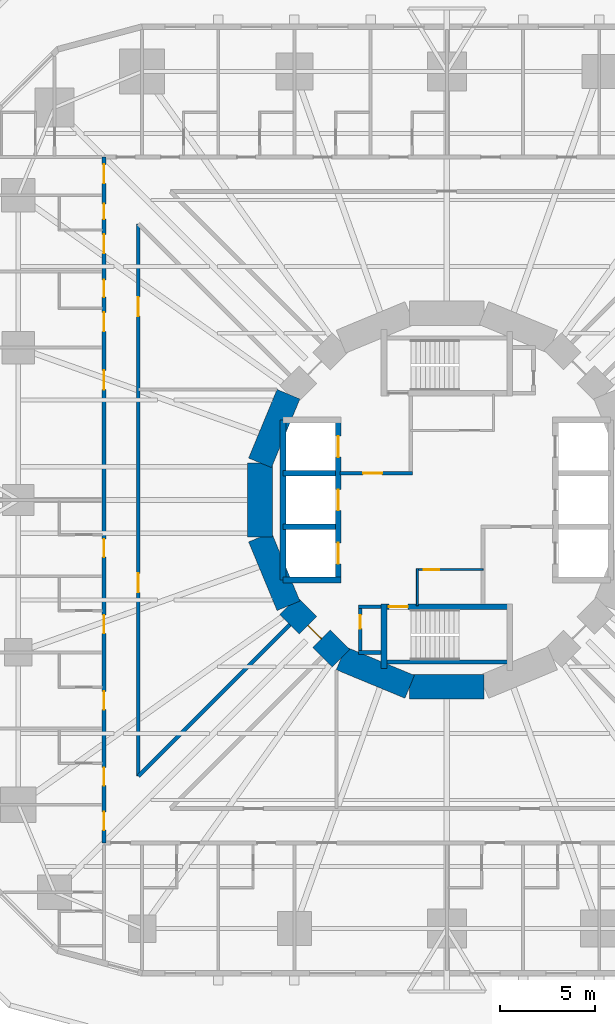
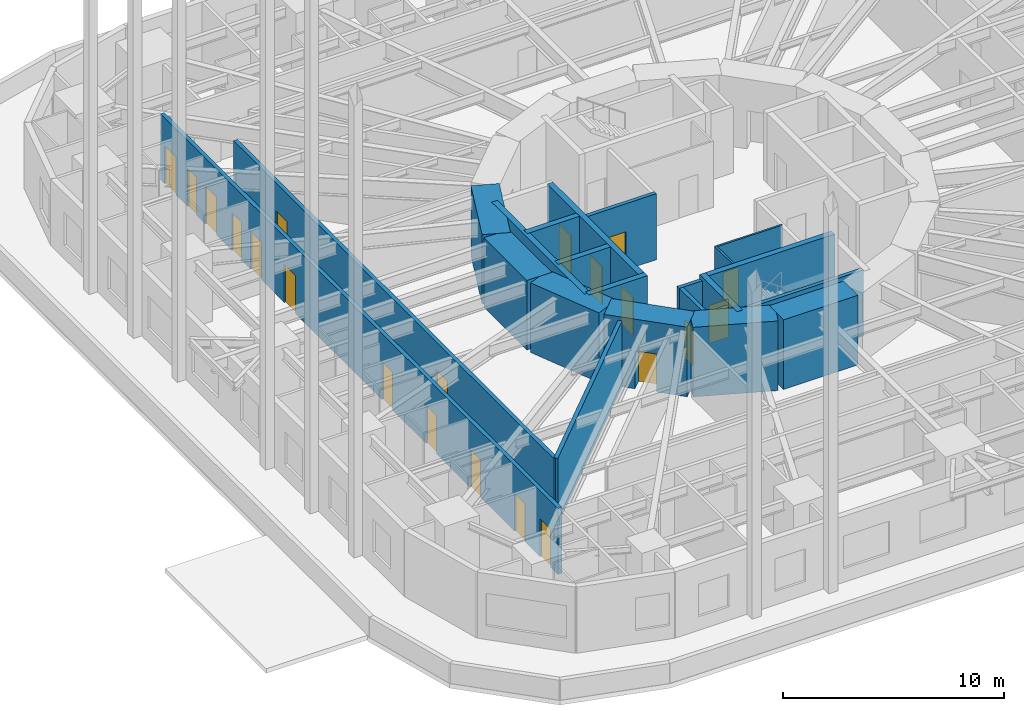
# One storey, part 6 of 13: 23 walls, 21 doors, 21 openings.
"""IFC4 building model written with IfcOpenShell, lengths in metres."""

import ifcopenshell
import ifcopenshell.guid

model = None  # the IFC model being written
_history = None  # IfcOwnerHistory: only IFC2X3 demands one
_inside = {}  # id of a spatial element -> (the spatial element, [elements in it])
_under = {}  # id of a project, library or spatial element -> (it, [spatial elements below it])
_declared = {}  # id of a project -> (the project, [libraries it declares])
_typed = {}  # id of a type object -> (the type object, [elements of that type])
_made_of = {}  # id of a material, layer set ... -> (it, [elements and type objects made of it])


def new_model(schema):
    """Start an empty IFC model of exactly this schema.

    Asked for "IFC4X3", IfcOpenShell would pick the latest addendum, in which some entities
    have other attributes; the version numbers below select the first issue.
    IFC2X3 requires an IfcOwnerHistory on every rooted entity: one is made here for all.
    """
    global model, _history
    if schema == "IFC4X3":
        model = ifcopenshell.file(schema_version=(4, 3, 0, 0))
    else:
        model = ifcopenshell.file(schema=schema)
    _inside.clear()
    _under.clear()
    _declared.clear()
    _typed.clear()
    _made_of.clear()
    _history = None
    if model.schema == "IFC2X3":
        org = make("IfcOrganization", Name="unknown")
        user = make(
            "IfcPersonAndOrganization",
            ThePerson=make("IfcPerson", FamilyName="unknown"),
            TheOrganization=org,
        )
        app = make(
            "IfcApplication",
            ApplicationDeveloper=org,
            Version="unknown",
            ApplicationFullName="unknown",
            ApplicationIdentifier="unknown",
        )
        _history = make(
            "IfcOwnerHistory",
            OwningUser=user,
            OwningApplication=app,
            ChangeAction="ADDED",
            CreationDate=0,
        )
    return model


def make(cls, **values):
    """One entity of the class cls with the attributes given. An attribute that is None is left unset."""
    return model.create_entity(
        cls, **{name: value for name, value in values.items() if value is not None}
    )


def rooted(cls, **values):
    """An entity with a GlobalId (a new one), such as an element, a storey or a relation."""
    return make(cls, GlobalId=ifcopenshell.guid.new(), OwnerHistory=_history, **values)


def si_unit(unit_type, name, prefix=None):
    """IfcSIUnit, for example si_unit("LENGTHUNIT", "METRE", prefix="MILLI")."""
    return make("IfcSIUnit", UnitType=unit_type, Prefix=prefix, Name=name)


def assignment(units):
    """IfcUnitAssignment: the units of a project."""
    return None if units is None else make("IfcUnitAssignment", Units=units)


def point(xyz):
    """IfcCartesianPoint."""
    return None if xyz is None else make("IfcCartesianPoint", Coordinates=xyz)


def direction(xyz):
    """IfcDirection."""
    return None if xyz is None else make("IfcDirection", DirectionRatios=xyz)


def frame(location, z_axis=None, x_axis=None):
    """IfcAxis2Placement3D, a coordinate frame: its origin and axes. An axis left out is left unset."""
    return make(
        "IfcAxis2Placement3D",
        Location=point(location),
        Axis=direction(z_axis),
        RefDirection=direction(x_axis),
    )


def frame_2d(location, x_axis=None):
    """IfcAxis2Placement2D, a coordinate frame in the plane: its origin and x axis."""
    return make(
        "IfcAxis2Placement2D", Location=point(location), RefDirection=direction(x_axis)
    )


def origin():
    """The frame at (0, 0, 0) with its axes left unset."""
    return frame((0.0, 0.0, 0.0))


def place(relative_to, where):
    """IfcLocalPlacement: puts the frame where relative to a parent placement (None: the world)."""
    return make(
        "IfcLocalPlacement", PlacementRelTo=relative_to, RelativePlacement=where
    )


def context(
    kind, dimensions, precision=None, world=None, true_north=None, identifier=None
):
    """IfcGeometricRepresentationContext, for example the 3D "Model" context."""
    return make(
        "IfcGeometricRepresentationContext",
        ContextIdentifier=identifier,
        ContextType=kind,
        CoordinateSpaceDimension=dimensions,
        Precision=precision,
        WorldCoordinateSystem=world,
        TrueNorth=true_north,
    )


def subcontext(parent, identifier, kind, view, scale=None):
    """IfcGeometricRepresentationSubContext, for example "Body" below "Model"."""
    return make(
        "IfcGeometricRepresentationSubContext",
        ContextIdentifier=identifier,
        ContextType=kind,
        ParentContext=parent,
        TargetScale=scale,
        TargetView=view,
    )


def project(units=None, contexts=None):
    """IfcProject with its units and contexts."""
    return rooted(
        "IfcProject",
        Name="project",
        RepresentationContexts=contexts,
        UnitsInContext=assignment(units),
    )


def spatial(cls, under=None, at=None, **own):
    """A site, building, storey or space (cls), placed at a placement, below another one or the project."""
    s = rooted(cls, ObjectPlacement=at, **own)
    if under is not None:
        _under.setdefault(under.id(), (under, []))[1].append(s)
    return s


def profile(cls, at=None, kind="AREA", **sizes):
    """A parametric profile (cls). Its sizes go by their IFC names, for example OverallWidth=200.0."""
    return make(cls, ProfileType=kind, Position=at, **sizes)


def rectangle(**sizes):
    """IfcRectangleProfileDef."""
    return profile("IfcRectangleProfileDef", **sizes)


def extrude(swept, where, along, depth):
    """IfcExtrudedAreaSolid: the profile swept, set in the frame where, extruded along a direction by depth."""
    return make(
        "IfcExtrudedAreaSolid",
        SweptArea=swept,
        Position=where,
        ExtrudedDirection=direction(along),
        Depth=depth,
    )


def shape(context_of_items, identifier, shape_type, items):
    """IfcShapeRepresentation: the items that make up one representation, for example the "Body"."""
    return make(
        "IfcShapeRepresentation",
        ContextOfItems=context_of_items,
        RepresentationIdentifier=identifier,
        RepresentationType=shape_type,
        Items=items,
    )


def material(Name=None, Category=None):
    """IfcMaterial."""
    return make("IfcMaterial", Name=Name, Category=Category)


def layer(
    of_material, thickness, ventilated=None, Name=None, Category=None, Priority=None
):
    """IfcMaterialLayer: one layer of a wall or slab, of a material (None: an air gap)."""
    return make(
        "IfcMaterialLayer",
        Material=of_material,
        LayerThickness=thickness,
        IsVentilated=ventilated,
        Name=Name,
        Category=Category,
        Priority=Priority,
    )


def layer_set(layers, Name=None):
    """IfcMaterialLayerSet."""
    return make("IfcMaterialLayerSet", MaterialLayers=layers, LayerSetName=Name)


def made_of(thing, what):
    """Note that an element or type object is made of a material, layer set ...; save() writes the relation."""
    if what is not None:
        _made_of.setdefault(what.id(), (what, []))[1].append(thing)
    return thing


def type_object(cls, material=None, **own):
    """A type object (cls), such as IfcWallType, which elements share."""
    return made_of(rooted(cls, **own), material)


def element(
    cls,
    number,
    at=None,
    inside=None,
    cuts=None,
    type_object=None,
    material=None,
    context=None,
    identifier="Body",
    shape_type=None,
    held_by="IfcProductDefinitionShape",
    body=None,
    shapes=None,
    **own,
):
    """One element of the class cls, such as IfcWall. Its Tag is "e" and its number.

    at: its placement. inside: the storey or other place that contains it. cuts: it is an
    opening in that element (IfcRelVoidsElement). A single representation is given by context,
    identifier, shape_type and body (its items); several are given by shapes. held_by: the class
    of the entity that holds the representations. save() writes the other relations.
    """
    e = rooted(cls, Tag="e%d" % number, ObjectPlacement=at, **own)
    if body is not None:
        shapes = [shape(context, identifier, shape_type, body)]
    if shapes is not None:
        e.Representation = make(held_by, Representations=shapes)
    if inside is not None:
        _inside.setdefault(inside.id(), (inside, []))[1].append(e)
    if cuts is not None:
        rooted(
            "IfcRelVoidsElement", RelatingBuildingElement=cuts, RelatedOpeningElement=e
        )
    if type_object is not None:
        _typed.setdefault(type_object.id(), (type_object, []))[1].append(e)
    return made_of(e, material)


def fill(opening, filler):
    """IfcRelFillsElement: the door or window that sits in an opening."""
    return rooted(
        "IfcRelFillsElement",
        RelatingOpeningElement=opening,
        RelatedBuildingElement=filler,
    )


def aggregate(whole, parts):
    """IfcRelAggregates: a whole, such as a stair, and the parts it consists of."""
    return rooted("IfcRelAggregates", RelatingObject=whole, RelatedObjects=parts)


def save(model, path):
    """Write the relations noted so far, then the file.

    IfcRelAggregates (storeys below a building ...), IfcRelContainedInSpatialStructure (elements
    in a storey), IfcRelDefinesByType, IfcRelAssociatesMaterial and IfcRelDeclares: one each for
    every whole, place, type object, material and project.
    """
    for whole, parts in _under.values():
        aggregate(whole, parts)
    for where, things in _inside.values():
        rooted(
            "IfcRelContainedInSpatialStructure",
            RelatedElements=things,
            RelatingStructure=where,
        )
    for kind, things in _typed.values():
        rooted("IfcRelDefinesByType", RelatedObjects=things, RelatingType=kind)
    for what, things in _made_of.values():
        rooted("IfcRelAssociatesMaterial", RelatedObjects=things, RelatingMaterial=what)
    for by, libraries in _declared.values():
        rooted("IfcRelDeclares", RelatingContext=by, RelatedDefinitions=libraries)
    model.write(path)


model = new_model("IFC4")

# Units and contexts
model_context = context("Model", 3, precision=1e-05, world=origin(), true_north=direction((0.0, 1.0)))
body_context = subcontext(model_context, "Body", "Model", "MODEL_VIEW")
ifc_project = project(units=[si_unit("LENGTHUNIT", "METRE"), si_unit("AREAUNIT", "SQUARE_METRE"), si_unit("VOLUMEUNIT", "CUBIC_METRE"), si_unit("PLANEANGLEUNIT", "RADIAN"), si_unit("MASSUNIT", "GRAM", prefix="KILO")], contexts=[model_context])

# Site, building, storey
site_placement = place(None, origin())
site = spatial("IfcSite", under=ifc_project, at=site_placement, CompositionType="ELEMENT")
building_placement = place(site_placement, origin())
building = spatial("IfcBuilding", under=site, at=building_placement, Name="Nakasero Lantern House", CompositionType="ELEMENT")
storey_placement = place(building_placement, frame((0.0, 0.0, 16.0)))
storey = spatial("IfcBuildingStorey", under=building, at=storey_placement, Name="L03", CompositionType="ELEMENT", Elevation=16.0)

# Wall, openings, doors
ifc_material_1 = material(Name="Concrete C50/60", Category="concrete")
ifc_layer_1 = layer(ifc_material_1, 0.300048828125)
ifc_layer_set_1 = layer_set([ifc_layer_1], Name="Core inner wall 300")
wall_type_1 = type_object("IfcWallType", Name="Core inner wall 300", PredefinedType="SHEAR", material=ifc_layer_set_1)
wall_1_placement = place(storey_placement, frame((-5.699951171875, -4.199951171875, 0.0), z_axis=(0.0, 0.0, 1.0), x_axis=(0.0, 1.0, 0.0)))
wall_1 = element("IfcWall", 1, at=wall_1_placement, inside=storey, type_object=wall_type_1, Name="Core inner wall L03 LW", PredefinedType="SHEAR", context=body_context, shape_type="SweptSolid", body=[
    extrude(rectangle(XDim=8.39990234375, YDim=0.300048828125, at=frame_2d((4.199951171875, 0.0))), origin(), (0.0, 0.0, 1.0), 3.85009765625),
])
opening_1_placement = place(wall_1_placement, frame((0.85009765625, 0.0, 0.0)))
opening_1 = element("IfcOpeningElement", 2, at=opening_1_placement, cuts=wall_1, Name="Opening LD", PredefinedType="OPENING", context=body_context, shape_type="SweptSolid", body=[
    extrude(rectangle(XDim=1.10009765625, YDim=2.10009765625, at=frame_2d((0.550048828125, 1.050048828125))), frame((0.0, 0.169921875, 0.0), z_axis=(0.0, -1.0, 0.0), x_axis=(1.0, 0.0, 0.0)), (0.0, 0.0, 1.0), 0.340087890625),
])
opening_2_placement = place(wall_1_placement, frame((3.64990234375, 0.0, 0.0)))
opening_2 = element("IfcOpeningElement", 3, at=opening_2_placement, cuts=wall_1, Name="Opening LD", PredefinedType="OPENING", context=body_context, shape_type="SweptSolid", body=[
    extrude(rectangle(XDim=1.10009765625, YDim=2.10009765625, at=frame_2d((0.550048828125, 1.050048828125))), frame((0.0, 0.169921875, 0.0), z_axis=(0.0, -1.0, 0.0), x_axis=(1.0, 0.0, 0.0)), (0.0, 0.0, 1.0), 0.340087890625),
])
opening_3_placement = place(wall_1_placement, frame((6.449951171875, 0.0, 0.0)))
opening_3 = element("IfcOpeningElement", 4, at=opening_3_placement, cuts=wall_1, Name="Opening LD", PredefinedType="OPENING", context=body_context, shape_type="SweptSolid", body=[
    extrude(rectangle(XDim=1.10009765625, YDim=2.10009765625, at=frame_2d((0.550048828125, 1.050048828125))), frame((0.0, 0.169921875, 0.0), z_axis=(0.0, -1.0, 0.0), x_axis=(1.0, 0.0, 0.0)), (0.0, 0.0, 1.0), 0.340087890625),
])
ifc_material_2 = material(Name="Steel S355", Category="steel")
door_type_1 = type_object("IfcDoorType", Name="Lift landing door E120 1100", OperationType="SLIDING_TO_LEFT", PredefinedType="DOOR", material=ifc_material_2)
door_1_placement = place(opening_1_placement, origin())
door_1 = element("IfcDoor", 5, at=door_1_placement, inside=storey, type_object=door_type_1, Name="Lift landing door LW1", OperationType="SLIDING_TO_LEFT", OverallHeight=2.10009765625, OverallWidth=1.10009765625, PredefinedType="DOOR", context=body_context, shape_type="SweptSolid", body=[
    extrude(rectangle(XDim=1.10009765625, YDim=2.10009765625, at=frame_2d((0.550048828125, 1.050048828125))), frame((0.0, 0.02490234375, 0.0), z_axis=(0.0, -1.0, 0.0), x_axis=(1.0, 0.0, 0.0)), (0.0, 0.0, 1.0), 0.050048828125),
])
fill(opening_1, door_1)
door_2_placement = place(opening_2_placement, origin())
door_2 = element("IfcDoor", 6, at=door_2_placement, inside=storey, type_object=door_type_1, Name="Lift landing door LW2", OperationType="SLIDING_TO_LEFT", OverallHeight=2.10009765625, OverallWidth=1.10009765625, PredefinedType="DOOR", context=body_context, shape_type="SweptSolid", body=[
    extrude(rectangle(XDim=1.10009765625, YDim=2.10009765625, at=frame_2d((0.550048828125, 1.050048828125))), frame((0.0, 0.02490234375, 0.0), z_axis=(0.0, -1.0, 0.0), x_axis=(1.0, 0.0, 0.0)), (0.0, 0.0, 1.0), 0.050048828125),
])
fill(opening_2, door_2)
door_3_placement = place(opening_3_placement, origin())
door_3 = element("IfcDoor", 7, at=door_3_placement, inside=storey, type_object=door_type_1, Name="Lift landing door LW3", OperationType="SLIDING_TO_LEFT", OverallHeight=2.10009765625, OverallWidth=1.10009765625, PredefinedType="DOOR", context=body_context, shape_type="SweptSolid", body=[
    extrude(rectangle(XDim=1.10009765625, YDim=2.10009765625, at=frame_2d((0.550048828125, 1.050048828125))), frame((0.0, 0.02490234375, 0.0), z_axis=(0.0, -1.0, 0.0), x_axis=(1.0, 0.0, 0.0)), (0.0, 0.0, 1.0), 0.050048828125),
])
fill(opening_3, door_3)

# Walls
wall_2_placement = place(storey_placement, frame((-8.60009765625, -4.199951171875, 0.0), z_axis=(0.0, 0.0, 1.0), x_axis=(1.0, 0.0, 0.0)))
element("IfcWall", 8, at=wall_2_placement, inside=storey, type_object=wall_type_1, Name="Core inner wall L03 LWS", PredefinedType="SHEAR", context=body_context, shape_type="SweptSolid", body=[
    extrude(rectangle(XDim=3.050048828125, YDim=0.300048828125, at=frame_2d((1.52490234375, 0.0))), origin(), (0.0, 0.0, 1.0), 3.85009765625),
])
wall_3_placement = place(storey_placement, frame((-8.60009765625, -4.199951171875, 0.0), z_axis=(0.0, 0.0, 1.0), x_axis=(0.0, 1.0, 0.0)))
element("IfcWall", 9, at=wall_3_placement, inside=storey, type_object=wall_type_1, Name="Core inner wall L03 LWB", PredefinedType="SHEAR", context=body_context, shape_type="SweptSolid", body=[
    extrude(rectangle(XDim=8.39990234375, YDim=0.300048828125, at=frame_2d((4.199951171875, 0.0))), origin(), (0.0, 0.0, 1.0), 3.85009765625),
])
for number, where, z_axis, x_axis, name in (
    (10, (-8.60009765625, -1.39990234375, 0.0), (0.0, 0.0, 1.0), (1.0, 0.0, 0.0), "Core inner wall L03 LW1"),
    (11, (-8.60009765625, 1.39990234375, 0.0), (0.0, 0.0, 1.0), (1.0, 0.0, 0.0), "Core inner wall L03 LW2"),
):
    element("IfcWall", number, at=place(storey_placement, frame(where, z_axis=z_axis, x_axis=x_axis)), inside=storey, type_object=wall_type_1, Name=name, PredefinedType="SHEAR", context=body_context, shape_type="SweptSolid", body=[
        extrude(rectangle(XDim=2.75, YDim=0.300048828125, at=frame_2d((1.375, 0.0))), origin(), (0.0, 0.0, 1.0), 3.85009765625),
    ])

# Wall, opening, door
wall_4_placement = place(storey_placement, frame((-3.449951171875, -5.60009765625, 0.0), z_axis=(0.0, 0.0, 1.0), x_axis=(1.0, 0.0, 0.0)))
wall_4 = element("IfcWall", 12, at=wall_4_placement, inside=storey, type_object=wall_type_1, Name="Core inner wall L03 SS", PredefinedType="SHEAR", context=body_context, shape_type="SweptSolid", body=[
    extrude(rectangle(XDim=6.89990234375, YDim=0.300048828125, at=frame_2d((3.449951171875, 0.0))), origin(), (0.0, 0.0, 1.0), 3.85009765625),
])
opening_4_placement = place(wall_4_placement, frame((0.39990234375, 0.0, 0.0)))
opening_4 = element("IfcOpeningElement", 13, at=opening_4_placement, cuts=wall_4, Name="Opening D05", PredefinedType="OPENING", context=body_context, shape_type="SweptSolid", body=[
    extrude(rectangle(XDim=1.0, YDim=2.10009765625, at=frame_2d((0.5, 1.050048828125))), frame((0.0, 0.169921875, 0.0), z_axis=(0.0, -1.0, 0.0), x_axis=(1.0, 0.0, 0.0)), (0.0, 0.0, 1.0), 0.340087890625),
])
ifc_material_3 = material(Name="Timber C24", Category="wood")
door_type_2 = type_object("IfcDoorType", Name="Core door FD60S 1000", OperationType="SINGLE_SWING_LEFT", PredefinedType="DOOR", material=ifc_material_3)
door_4_placement = place(opening_4_placement, origin())
door_4 = element("IfcDoor", 14, at=door_4_placement, inside=storey, type_object=door_type_2, Name="Door L03 D-ST2", OperationType="SINGLE_SWING_LEFT", OverallHeight=2.10009765625, OverallWidth=1.0, PredefinedType="DOOR", context=body_context, shape_type="SweptSolid", body=[
    extrude(rectangle(XDim=1.0, YDim=2.10009765625, at=frame_2d((0.5, 1.050048828125))), frame((0.0, 0.02490234375, 0.0), z_axis=(0.0, -1.0, 0.0), x_axis=(1.0, 0.0, 0.0)), (0.0, 0.0, 1.0), 0.050048828125),
])
fill(opening_4, door_4)

# Wall
wall_5_placement = place(storey_placement, frame((-3.300048828125, -5.449951171875, 0.0), z_axis=(0.0, 0.0, 1.0), x_axis=(0.0, -1.0, 0.0)))
element("IfcWall", 15, at=wall_5_placement, inside=storey, type_object=wall_type_1, Name="Core inner wall L03 SSW", PredefinedType="SHEAR", context=body_context, shape_type="SweptSolid", body=[
    extrude(rectangle(XDim=3.400146484375, YDim=0.300048828125, at=frame_2d((1.7001953125, 0.0))), origin(), (0.0, 0.0, 1.0), 3.85009765625),
])

# Wall, opening, door
ifc_material_4 = material(Name="Blockwork", Category="masonry")
ifc_layer_2 = layer(ifc_material_4, 0.10009765625)
ifc_layer_set_2 = layer_set([ifc_layer_2], Name="Core room wall 100")
wall_type_2 = type_object("IfcWallType", Name="Core room wall 100", PredefinedType="PARTITIONING", material=ifc_layer_set_2)
wall_6_placement = place(storey_placement, frame((-1.60009765625, -3.64990234375, 0.0), z_axis=(0.0, 0.0, 1.0), x_axis=(1.0, 0.0, 0.0)))
wall_6 = element("IfcWall", 16, at=wall_6_placement, inside=storey, type_object=wall_type_2, Name="Core room wall L03 CR-SWN", PredefinedType="PARTITIONING", context=body_context, shape_type="SweptSolid", body=[
    extrude(rectangle(XDim=3.5, YDim=0.10009765625, at=frame_2d((1.75, 0.0))), origin(), (0.0, 0.0, 1.0), 3.64990234375),
])
opening_5_placement = place(wall_6_placement, frame((0.39990234375, 0.0, 0.0)))
opening_5 = element("IfcOpeningElement", 17, at=opening_5_placement, cuts=wall_6, Name="Opening D15", PredefinedType="OPENING", context=body_context, shape_type="SweptSolid", body=[
    extrude(rectangle(XDim=0.800048828125, YDim=2.10009765625, at=frame_2d((0.39990234375, 1.050048828125))), frame((0.0, 0.070068359375, 0.0), z_axis=(0.0, -1.0, 0.0), x_axis=(1.0, 0.0, 0.0)), (0.0, 0.0, 1.0), 0.14013671875),
])
ifc_material_5 = material(Name="Timber C24", Category="wood")
door_type_3 = type_object("IfcDoorType", Name="Cleaner's store door FD30S 800", OperationType="SINGLE_SWING_LEFT", PredefinedType="DOOR", material=ifc_material_5)
door_5_placement = place(opening_5_placement, origin())
door_5 = element("IfcDoor", 18, at=door_5_placement, inside=storey, type_object=door_type_3, Name="Door L03 D-CR-SW", OperationType="SINGLE_SWING_LEFT", OverallHeight=2.10009765625, OverallWidth=0.800048828125, PredefinedType="DOOR", context=body_context, shape_type="SweptSolid", body=[
    extrude(rectangle(XDim=0.800048828125, YDim=2.10009765625, at=frame_2d((0.39990234375, 1.050048828125))), frame((0.0, 0.02490234375, 0.0), z_axis=(0.0, -1.0, 0.0), x_axis=(1.0, 0.0, 0.0)), (0.0, 0.0, 1.0), 0.050048828125),
])
fill(opening_5, door_5)

# Walls
wall_7_placement = place(storey_placement, frame((-1.550048828125, -5.550048828125, 0.0), z_axis=(0.0, 0.0, 1.0), x_axis=(0.0, 1.0, 0.0)))
element("IfcWall", 19, at=wall_7_placement, inside=storey, type_object=wall_type_2, Name="Core room wall L03 CR-SWW", PredefinedType="PARTITIONING", context=body_context, shape_type="SweptSolid", body=[
    extrude(rectangle(XDim=1.949951171875, YDim=0.10009765625, at=frame_2d((0.97509765625, 0.0))), origin(), (0.0, 0.0, 1.0), 3.64990234375),
])
ifc_material_6 = material(Name="Concrete C50/60", Category="concrete")
ifc_layer_3 = layer(ifc_material_6, 1.300048828125)
ifc_layer_set_3 = layer_set([ifc_layer_3], Name="Core wall 1300")
wall_type_3 = type_object("IfcWallType", Name="Core wall 1300", PredefinedType="SHEAR", material=ifc_layer_set_3)
for number, where, z_axis, x_axis, name in (
    (20, (-8.314697265625, 5.5556640625, 0.0), (0.0, 0.0, 1.0), (-0.382690736062, -0.923876507187, 0.0), "Core wall L03 facet 7"),
    (21, (-9.807861328125, 1.950927734375, 0.0), (0.0, 0.0, 1.0), (0.0, -1.0, 0.0), "Core wall L03 facet 8"),
    (22, (-9.807861328125, -1.950927734375, 0.0), (0.0, 0.0, 1.0), (0.382690736062, -0.923876507187, 0.0), "Core wall L03 facet 9"),
):
    element("IfcWall", number, at=place(storey_placement, frame(where, z_axis=z_axis, x_axis=x_axis)), inside=storey, type_object=wall_type_3, Name=name, PredefinedType="SHEAR", context=body_context, shape_type="SweptSolid", body=[
        extrude(rectangle(XDim=3.90185546875, YDim=1.300048828125, at=frame_2d((1.950927734375, 0.0))), origin(), (0.0, 0.0, 1.0), 3.85009765625),
    ])

# Wall, opening, door
wall_8_placement = place(storey_placement, frame((-8.314697265625, -5.5556640625, 0.0), z_axis=(0.0, 0.0, 1.0), x_axis=(0.707106781187, -0.707106781187, 0.0)))
wall_8 = element("IfcWall", 23, at=wall_8_placement, inside=storey, type_object=wall_type_3, Name="Core wall L03 facet 10", PredefinedType="SHEAR", context=body_context, shape_type="SweptSolid", body=[
    extrude(rectangle(XDim=3.90185546875, YDim=1.300048828125, at=frame_2d((1.950927734375, 0.0))), origin(), (0.0, 0.0, 1.0), 3.85009765625),
])
opening_6_placement = place(wall_8_placement, frame((1.450927734375, 0.0, 0.0)))
opening_6 = element("IfcOpeningElement", 24, at=opening_6_placement, cuts=wall_8, Name="Opening D05", PredefinedType="OPENING", context=body_context, shape_type="SweptSolid", body=[
    extrude(rectangle(XDim=1.0, YDim=2.10009765625, at=frame_2d((0.5, 1.050048828125))), frame((0.0, 0.669921875, 0.0), z_axis=(0.0, -1.0, 0.0), x_axis=(1.0, 0.0, 0.0)), (0.0, 0.0, 1.0), 1.340087890625),
])
door_6_placement = place(opening_6_placement, origin())
door_6 = element("IfcDoor", 25, at=door_6_placement, inside=storey, type_object=door_type_2, Name="Door L03 D-CORE10", OperationType="SINGLE_SWING_LEFT", OverallHeight=2.10009765625, OverallWidth=1.0, PredefinedType="DOOR", context=body_context, shape_type="SweptSolid", body=[
    extrude(rectangle(XDim=1.0, YDim=2.10009765625, at=frame_2d((0.5, 1.050048828125))), frame((0.0, 0.02490234375, 0.0), z_axis=(0.0, -1.0, 0.0), x_axis=(1.0, 0.0, 0.0)), (0.0, 0.0, 1.0), 0.050048828125),
])
fill(opening_6, door_6)

# Walls
for number, where, z_axis, x_axis, name in (
    (26, (-5.5556640625, -8.314697265625, 0.0), (0.0, 0.0, 1.0), (0.923876507187, -0.382690736062, 0.0), "Core wall L03 facet 11"),
    (27, (-1.950927734375, -9.807861328125, 0.0), (0.0, 0.0, 1.0), (1.0, 0.0, 0.0), "Core wall L03 facet 12"),
):
    element("IfcWall", number, at=place(storey_placement, frame(where, z_axis=z_axis, x_axis=x_axis)), inside=storey, type_object=wall_type_3, Name=name, PredefinedType="SHEAR", context=body_context, shape_type="SweptSolid", body=[
        extrude(rectangle(XDim=3.90185546875, YDim=1.300048828125, at=frame_2d((1.950927734375, 0.0))), origin(), (0.0, 0.0, 1.0), 3.85009765625),
    ])

# Wall, openings, doors
ifc_material_7 = material(Name="Blockwork", Category="masonry")
ifc_layer_4 = layer(ifc_material_7, 0.199951171875)
ifc_layer_set_4 = layer_set([ifc_layer_4], Name="Corridor wall 200")
wall_type_4 = type_object("IfcWallType", Name="Corridor wall 200", PredefinedType="PARTITIONING", material=ifc_layer_set_4)
wall_9_placement = place(storey_placement, frame((-18.0, 18.0, 0.0), z_axis=(0.0, 0.0, 1.0), x_axis=(0.0, -1.0, 0.0)))
wall_9 = element("IfcWall", 28, at=wall_9_placement, inside=storey, type_object=wall_type_4, Name="Corridor wall L03 CW2", PredefinedType="PARTITIONING", context=body_context, shape_type="SweptSolid", body=[
    extrude(rectangle(XDim=36.0, YDim=0.199951171875, at=frame_2d((18.0, 0.0))), origin(), (0.0, 0.0, 1.0), 3.64990234375),
])
opening_7_placement = place(wall_9_placement, frame((0.375, 0.0, 0.0)))
opening_7 = element("IfcOpeningElement", 29, at=opening_7_placement, cuts=wall_9, Name="Opening D07", PredefinedType="OPENING", context=body_context, shape_type="SweptSolid", body=[
    extrude(rectangle(XDim=1.0, YDim=2.10009765625, at=frame_2d((0.5, 1.050048828125))), frame((0.0, 0.119873046875, 0.0), z_axis=(0.0, -1.0, 0.0), x_axis=(1.0, 0.0, 0.0)), (0.0, 0.0, 1.0), 0.239990234375),
])
opening_8_placement = place(wall_9_placement, frame((2.449951171875, 0.0, 0.0)))
opening_8 = element("IfcOpeningElement", 30, at=opening_8_placement, cuts=wall_9, Name="Opening D15", PredefinedType="OPENING", context=body_context, shape_type="SweptSolid", body=[
    extrude(rectangle(XDim=0.800048828125, YDim=2.10009765625, at=frame_2d((0.39990234375, 1.050048828125))), frame((0.0, 0.119873046875, 0.0), z_axis=(0.0, -1.0, 0.0), x_axis=(1.0, 0.0, 0.0)), (0.0, 0.0, 1.0), 0.239990234375),
])
opening_9_placement = place(wall_9_placement, frame((4.050048828125, 0.0, 0.0)))
opening_9 = element("IfcOpeningElement", 31, at=opening_9_placement, cuts=wall_9, Name="Opening D07", PredefinedType="OPENING", context=body_context, shape_type="SweptSolid", body=[
    extrude(rectangle(XDim=1.0, YDim=2.10009765625, at=frame_2d((0.5, 1.050048828125))), frame((0.0, 0.119873046875, 0.0), z_axis=(0.0, -1.0, 0.0), x_axis=(1.0, 0.0, 0.0)), (0.0, 0.0, 1.0), 0.239990234375),
])
opening_10_placement = place(wall_9_placement, frame((6.449951171875, 0.0, 0.0)))
opening_10 = element("IfcOpeningElement", 32, at=opening_10_placement, cuts=wall_9, Name="Opening D16", PredefinedType="OPENING", context=body_context, shape_type="SweptSolid", body=[
    extrude(rectangle(XDim=0.89990234375, YDim=2.10009765625, at=frame_2d((0.449951171875, 1.050048828125))), frame((0.0, 0.119873046875, 0.0), z_axis=(0.0, -1.0, 0.0), x_axis=(1.0, 0.0, 0.0)), (0.0, 0.0, 1.0), 0.239990234375),
])
opening_11_placement = place(wall_9_placement, frame((8.14990234375, 0.0, 0.0)))
opening_11 = element("IfcOpeningElement", 33, at=opening_11_placement, cuts=wall_9, Name="Opening D07", PredefinedType="OPENING", context=body_context, shape_type="SweptSolid", body=[
    extrude(rectangle(XDim=1.0, YDim=2.10009765625, at=frame_2d((0.5, 1.050048828125))), frame((0.0, 0.119873046875, 0.0), z_axis=(0.0, -1.0, 0.0), x_axis=(1.0, 0.0, 0.0)), (0.0, 0.0, 1.0), 0.239990234375),
])
opening_12_placement = place(wall_9_placement, frame((20.050048828125, 0.0, 0.0)))
opening_12 = element("IfcOpeningElement", 34, at=opening_12_placement, cuts=wall_9, Name="Opening D01", PredefinedType="OPENING", context=body_context, shape_type="SweptSolid", body=[
    extrude(rectangle(XDim=0.949951171875, YDim=2.10009765625, at=frame_2d((0.47509765625, 1.050048828125))), frame((0.0, 0.119873046875, 0.0), z_axis=(0.0, -1.0, 0.0), x_axis=(1.0, 0.0, 0.0)), (0.0, 0.0, 1.0), 0.239990234375),
])
opening_13_placement = place(wall_9_placement, frame((24.050048828125, 0.0, 0.0)))
opening_13 = element("IfcOpeningElement", 35, at=opening_13_placement, cuts=wall_9, Name="Opening D01", PredefinedType="OPENING", context=body_context, shape_type="SweptSolid", body=[
    extrude(rectangle(XDim=0.949951171875, YDim=2.10009765625, at=frame_2d((0.47509765625, 1.050048828125))), frame((0.0, 0.119873046875, 0.0), z_axis=(0.0, -1.0, 0.0), x_axis=(1.0, 0.0, 0.0)), (0.0, 0.0, 1.0), 0.239990234375),
])
opening_14_placement = place(wall_9_placement, frame((28.050048828125, 0.0, 0.0)))
opening_14 = element("IfcOpeningElement", 36, at=opening_14_placement, cuts=wall_9, Name="Opening D01", PredefinedType="OPENING", context=body_context, shape_type="SweptSolid", body=[
    extrude(rectangle(XDim=0.949951171875, YDim=2.10009765625, at=frame_2d((0.47509765625, 1.050048828125))), frame((0.0, 0.119873046875, 0.0), z_axis=(0.0, -1.0, 0.0), x_axis=(1.0, 0.0, 0.0)), (0.0, 0.0, 1.0), 0.239990234375),
])
opening_15_placement = place(wall_9_placement, frame((32.050048828125, 0.0, 0.0)))
opening_15 = element("IfcOpeningElement", 37, at=opening_15_placement, cuts=wall_9, Name="Opening D01", PredefinedType="OPENING", context=body_context, shape_type="SweptSolid", body=[
    extrude(rectangle(XDim=0.949951171875, YDim=2.10009765625, at=frame_2d((0.47509765625, 1.050048828125))), frame((0.0, 0.119873046875, 0.0), z_axis=(0.0, -1.0, 0.0), x_axis=(1.0, 0.0, 0.0)), (0.0, 0.0, 1.0), 0.239990234375),
])
opening_16_placement = place(wall_9_placement, frame((34.375, 0.0, 0.0)))
opening_16 = element("IfcOpeningElement", 38, at=opening_16_placement, cuts=wall_9, Name="Opening D01", PredefinedType="OPENING", context=body_context, shape_type="SweptSolid", body=[
    extrude(rectangle(XDim=0.949951171875, YDim=2.10009765625, at=frame_2d((0.47509765625, 1.050048828125))), frame((0.0, 0.119873046875, 0.0), z_axis=(0.0, -1.0, 0.0), x_axis=(1.0, 0.0, 0.0)), (0.0, 0.0, 1.0), 0.239990234375),
])
opening_17_placement = place(wall_9_placement, frame((11.199951171875, 0.0, 0.0)))
opening_17 = element("IfcOpeningElement", 39, at=opening_17_placement, cuts=wall_9, Name="Opening D03", PredefinedType="OPENING", context=body_context, shape_type="SweptSolid", body=[
    extrude(rectangle(XDim=1.0, YDim=2.10009765625, at=frame_2d((0.5, 1.050048828125))), frame((0.0, 0.119873046875, 0.0), z_axis=(0.0, -1.0, 0.0), x_axis=(1.0, 0.0, 0.0)), (0.0, 0.0, 1.0), 0.239990234375),
])
ifc_material_8 = material(Name="Timber C24", Category="wood")
door_type_4 = type_object("IfcDoorType", Name="Accessible WC door 900", OperationType="SINGLE_SWING_RIGHT", PredefinedType="DOOR", material=ifc_material_8)
door_7_placement = place(opening_10_placement, origin())
door_7 = element("IfcDoor", 40, at=door_7_placement, inside=storey, type_object=door_type_4, Name="Door L03 DS2-02", OperationType="SINGLE_SWING_LEFT", OverallHeight=2.10009765625, OverallWidth=0.89990234375, PredefinedType="DOOR", context=body_context, shape_type="SweptSolid", body=[
    extrude(rectangle(XDim=0.89990234375, YDim=2.10009765625, at=frame_2d((0.449951171875, 1.050048828125))), frame((0.0, 0.02490234375, 0.0), z_axis=(0.0, -1.0, 0.0), x_axis=(1.0, 0.0, 0.0)), (0.0, 0.0, 1.0), 0.050048828125),
])
fill(opening_10, door_7)
ifc_material_9 = material(Name="Timber C24", Category="wood")
door_type_5 = type_object("IfcDoorType", Name="Bedroom door FD30S 950", OperationType="SINGLE_SWING_LEFT", PredefinedType="DOOR", material=ifc_material_9)
door_8_placement = place(opening_12_placement, origin())
door_8 = element("IfcDoor", 41, at=door_8_placement, inside=storey, type_object=door_type_5, Name="Door L03 D2-05", OperationType="SINGLE_SWING_RIGHT", OverallHeight=2.10009765625, OverallWidth=0.949951171875, PredefinedType="DOOR", context=body_context, shape_type="SweptSolid", body=[
    extrude(rectangle(XDim=0.949951171875, YDim=2.10009765625, at=frame_2d((0.47509765625, 1.050048828125))), frame((0.0, 0.02490234375, 0.0), z_axis=(0.0, -1.0, 0.0), x_axis=(1.0, 0.0, 0.0)), (0.0, 0.0, 1.0), 0.050048828125),
])
fill(opening_12, door_8)
door_9_placement = place(opening_13_placement, origin())
door_9 = element("IfcDoor", 42, at=door_9_placement, inside=storey, type_object=door_type_5, Name="Door L03 D2-06", OperationType="SINGLE_SWING_RIGHT", OverallHeight=2.10009765625, OverallWidth=0.949951171875, PredefinedType="DOOR", context=body_context, shape_type="SweptSolid", body=[
    extrude(rectangle(XDim=0.949951171875, YDim=2.10009765625, at=frame_2d((0.47509765625, 1.050048828125))), frame((0.0, 0.02490234375, 0.0), z_axis=(0.0, -1.0, 0.0), x_axis=(1.0, 0.0, 0.0)), (0.0, 0.0, 1.0), 0.050048828125),
])
fill(opening_13, door_9)
door_10_placement = place(opening_14_placement, origin())
door_10 = element("IfcDoor", 43, at=door_10_placement, inside=storey, type_object=door_type_5, Name="Door L03 D2-07", OperationType="SINGLE_SWING_RIGHT", OverallHeight=2.10009765625, OverallWidth=0.949951171875, PredefinedType="DOOR", context=body_context, shape_type="SweptSolid", body=[
    extrude(rectangle(XDim=0.949951171875, YDim=2.10009765625, at=frame_2d((0.47509765625, 1.050048828125))), frame((0.0, 0.02490234375, 0.0), z_axis=(0.0, -1.0, 0.0), x_axis=(1.0, 0.0, 0.0)), (0.0, 0.0, 1.0), 0.050048828125),
])
fill(opening_14, door_10)
door_11_placement = place(opening_15_placement, origin())
door_11 = element("IfcDoor", 44, at=door_11_placement, inside=storey, type_object=door_type_5, Name="Door L03 D2-08", OperationType="SINGLE_SWING_RIGHT", OverallHeight=2.10009765625, OverallWidth=0.949951171875, PredefinedType="DOOR", context=body_context, shape_type="SweptSolid", body=[
    extrude(rectangle(XDim=0.949951171875, YDim=2.10009765625, at=frame_2d((0.47509765625, 1.050048828125))), frame((0.0, 0.02490234375, 0.0), z_axis=(0.0, -1.0, 0.0), x_axis=(1.0, 0.0, 0.0)), (0.0, 0.0, 1.0), 0.050048828125),
])
fill(opening_15, door_11)
door_12_placement = place(opening_16_placement, origin())
door_12 = element("IfcDoor", 45, at=door_12_placement, inside=storey, type_object=door_type_5, Name="Door L03 D2-09", OperationType="SINGLE_SWING_RIGHT", OverallHeight=2.10009765625, OverallWidth=0.949951171875, PredefinedType="DOOR", context=body_context, shape_type="SweptSolid", body=[
    extrude(rectangle(XDim=0.949951171875, YDim=2.10009765625, at=frame_2d((0.47509765625, 1.050048828125))), frame((0.0, 0.02490234375, 0.0), z_axis=(0.0, -1.0, 0.0), x_axis=(1.0, 0.0, 0.0)), (0.0, 0.0, 1.0), 0.050048828125),
])
fill(opening_16, door_12)
door_13_placement = place(opening_8_placement, origin())
door_13 = element("IfcDoor", 46, at=door_13_placement, inside=storey, type_object=door_type_3, Name="Door L03 DS2-01", OperationType="SINGLE_SWING_LEFT", OverallHeight=2.10009765625, OverallWidth=0.800048828125, PredefinedType="DOOR", context=body_context, shape_type="SweptSolid", body=[
    extrude(rectangle(XDim=0.800048828125, YDim=2.10009765625, at=frame_2d((0.39990234375, 1.050048828125))), frame((0.0, 0.02490234375, 0.0), z_axis=(0.0, -1.0, 0.0), x_axis=(1.0, 0.0, 0.0)), (0.0, 0.0, 1.0), 0.050048828125),
])
fill(opening_8, door_13)
ifc_material_10 = material(Name="Timber C24", Category="wood")
door_type_6 = type_object("IfcDoorType", Name="Lounge door FD30S 1000", OperationType="SINGLE_SWING_LEFT", PredefinedType="DOOR", material=ifc_material_10)
door_14_placement = place(opening_17_placement, origin())
door_14 = element("IfcDoor", 47, at=door_14_placement, inside=storey, type_object=door_type_6, Name="Door L03 DK2", OperationType="SINGLE_SWING_LEFT", OverallHeight=2.10009765625, OverallWidth=1.0, PredefinedType="DOOR", context=body_context, shape_type="SweptSolid", body=[
    extrude(rectangle(XDim=1.0, YDim=2.10009765625, at=frame_2d((0.5, 1.050048828125))), frame((0.0, 0.02490234375, 0.0), z_axis=(0.0, -1.0, 0.0), x_axis=(1.0, 0.0, 0.0)), (0.0, 0.0, 1.0), 0.050048828125),
])
fill(opening_17, door_14)
ifc_material_11 = material(Name="Timber C24", Category="wood")
door_type_7 = type_object("IfcDoorType", Name="Room door FD30S 1000", OperationType="SINGLE_SWING_LEFT", PredefinedType="DOOR", material=ifc_material_11)
door_15_placement = place(opening_7_placement, origin())
door_15 = element("IfcDoor", 48, at=door_15_placement, inside=storey, type_object=door_type_7, Name="Door L03 D2-00", OperationType="SINGLE_SWING_LEFT", OverallHeight=2.10009765625, OverallWidth=1.0, PredefinedType="DOOR", context=body_context, shape_type="SweptSolid", body=[
    extrude(rectangle(XDim=1.0, YDim=2.10009765625, at=frame_2d((0.5, 1.050048828125))), frame((0.0, 0.02490234375, 0.0), z_axis=(0.0, -1.0, 0.0), x_axis=(1.0, 0.0, 0.0)), (0.0, 0.0, 1.0), 0.050048828125),
])
fill(opening_7, door_15)
door_16_placement = place(opening_9_placement, origin())
door_16 = element("IfcDoor", 49, at=door_16_placement, inside=storey, type_object=door_type_7, Name="Door L03 D2-01", OperationType="SINGLE_SWING_LEFT", OverallHeight=2.10009765625, OverallWidth=1.0, PredefinedType="DOOR", context=body_context, shape_type="SweptSolid", body=[
    extrude(rectangle(XDim=1.0, YDim=2.10009765625, at=frame_2d((0.5, 1.050048828125))), frame((0.0, 0.02490234375, 0.0), z_axis=(0.0, -1.0, 0.0), x_axis=(1.0, 0.0, 0.0)), (0.0, 0.0, 1.0), 0.050048828125),
])
fill(opening_9, door_16)
door_17_placement = place(opening_11_placement, origin())
door_17 = element("IfcDoor", 50, at=door_17_placement, inside=storey, type_object=door_type_7, Name="Door L03 D2-02", OperationType="SINGLE_SWING_LEFT", OverallHeight=2.10009765625, OverallWidth=1.0, PredefinedType="DOOR", context=body_context, shape_type="SweptSolid", body=[
    extrude(rectangle(XDim=1.0, YDim=2.10009765625, at=frame_2d((0.5, 1.050048828125))), frame((0.0, 0.02490234375, 0.0), z_axis=(0.0, -1.0, 0.0), x_axis=(1.0, 0.0, 0.0)), (0.0, 0.0, 1.0), 0.050048828125),
])
fill(opening_11, door_17)

wall_10_placement = place(storey_placement, frame((-16.199951171875, 14.5029296875, 0.0), z_axis=(0.0, 0.0, 1.0), x_axis=(0.0, -1.0, 0.0)))
wall_10 = element("IfcWall", 51, at=wall_10_placement, inside=storey, type_object=wall_type_4, Name="Corridor wall L03 IW2-0", PredefinedType="PARTITIONING", context=body_context, shape_type="SweptSolid", body=[
    extrude(rectangle(XDim=29.005859375, YDim=0.199951171875, at=frame_2d((14.5029296875, 0.0))), origin(), (0.0, 0.0, 1.0), 3.64990234375),
])
opening_18_placement = place(wall_10_placement, frame((3.850830078125, 0.0, 0.0)))
opening_18 = element("IfcOpeningElement", 52, at=opening_18_placement, cuts=wall_10, Name="Opening D07", PredefinedType="OPENING", context=body_context, shape_type="SweptSolid", body=[
    extrude(rectangle(XDim=1.0, YDim=2.10009765625, at=frame_2d((0.5, 1.050048828125))), frame((0.0, 0.119873046875, 0.0), z_axis=(0.0, -1.0, 0.0), x_axis=(1.0, 0.0, 0.0)), (0.0, 0.0, 1.0), 0.239990234375),
])
opening_19_placement = place(wall_10_placement, frame((18.353759765625, 0.0, 0.0)))
opening_19 = element("IfcOpeningElement", 53, at=opening_19_placement, cuts=wall_10, Name="Opening D07", PredefinedType="OPENING", context=body_context, shape_type="SweptSolid", body=[
    extrude(rectangle(XDim=1.0, YDim=2.10009765625, at=frame_2d((0.5, 1.050048828125))), frame((0.0, 0.119873046875, 0.0), z_axis=(0.0, -1.0, 0.0), x_axis=(1.0, 0.0, 0.0)), (0.0, 0.0, 1.0), 0.239990234375),
])
door_18_placement = place(opening_18_placement, origin())
door_18 = element("IfcDoor", 54, at=door_18_placement, inside=storey, type_object=door_type_7, Name="Door L03 DI3", OperationType="SINGLE_SWING_LEFT", OverallHeight=2.10009765625, OverallWidth=1.0, PredefinedType="DOOR", context=body_context, shape_type="SweptSolid", body=[
    extrude(rectangle(XDim=1.0, YDim=2.10009765625, at=frame_2d((0.5, 1.050048828125))), frame((0.0, 0.02490234375, 0.0), z_axis=(0.0, -1.0, 0.0), x_axis=(1.0, 0.0, 0.0)), (0.0, 0.0, 1.0), 0.050048828125),
])
fill(opening_18, door_18)
door_19_placement = place(opening_19_placement, origin())
door_19 = element("IfcDoor", 55, at=door_19_placement, inside=storey, type_object=door_type_7, Name="Door L03 DI3S", OperationType="SINGLE_SWING_RIGHT", OverallHeight=2.10009765625, OverallWidth=1.0, PredefinedType="DOOR", context=body_context, shape_type="SweptSolid", body=[
    extrude(rectangle(XDim=1.0, YDim=2.10009765625, at=frame_2d((0.5, 1.050048828125))), frame((0.0, 0.02490234375, 0.0), z_axis=(0.0, -1.0, 0.0), x_axis=(1.0, 0.0, 0.0)), (0.0, 0.0, 1.0), 0.050048828125),
])
fill(opening_19, door_19)

# Wall
wall_11_placement = place(storey_placement, frame((-8.243408203125, -6.54638671875, 0.0), z_axis=(0.0, 0.0, 1.0), x_axis=(-0.707106781187, -0.707106781187, 0.0)))
element("IfcWall", 56, at=wall_11_placement, inside=storey, type_object=wall_type_4, Name="Corridor wall L03 PS10b", PredefinedType="PARTITIONING", context=body_context, shape_type="SweptSolid", body=[
    extrude(rectangle(XDim=11.252197265625, YDim=0.199951171875, at=frame_2d((5.6259765625, 0.0))), origin(), (0.0, 0.0, 1.0), 3.64990234375),
])

# Wall, opening, door
ifc_material_12 = material(Name="Blockwork", Category="masonry")
ifc_layer_5 = layer(ifc_material_12, 0.199951171875)
ifc_layer_set_5 = layer_set([ifc_layer_5], Name="Fire lobby wall 200")
wall_type_5 = type_object("IfcWallType", Name="Fire lobby wall 200", PredefinedType="PARTITIONING", material=ifc_layer_set_5)
wall_12_placement = place(storey_placement, frame((-5.60009765625, 1.39990234375, 0.0), z_axis=(0.0, 0.0, 1.0), x_axis=(1.0, 0.0, 0.0)))
wall_12 = element("IfcWall", 57, at=wall_12_placement, inside=storey, type_object=wall_type_5, Name="Fire lobby wall L03 W-FL1S", PredefinedType="PARTITIONING", context=body_context, shape_type="SweptSolid", body=[
    extrude(rectangle(XDim=3.800048828125, YDim=0.199951171875, at=frame_2d((1.89990234375, 0.0))), origin(), (0.0, 0.0, 1.0), 3.64990234375),
])
opening_20_placement = place(wall_12_placement, frame((1.199951171875, 0.0, 0.0)))
opening_20 = element("IfcOpeningElement", 58, at=opening_20_placement, cuts=wall_12, Name="Opening D05", PredefinedType="OPENING", context=body_context, shape_type="SweptSolid", body=[
    extrude(rectangle(XDim=1.0, YDim=2.10009765625, at=frame_2d((0.5, 1.050048828125))), frame((0.0, 0.119873046875, 0.0), z_axis=(0.0, -1.0, 0.0), x_axis=(1.0, 0.0, 0.0)), (0.0, 0.0, 1.0), 0.239990234375),
])
door_20_placement = place(opening_20_placement, origin())
door_20 = element("IfcDoor", 59, at=door_20_placement, inside=storey, type_object=door_type_2, Name="Door L03 D-FL1", OperationType="SINGLE_SWING_LEFT", OverallHeight=2.10009765625, OverallWidth=1.0, PredefinedType="DOOR", context=body_context, shape_type="SweptSolid", body=[
    extrude(rectangle(XDim=1.0, YDim=2.10009765625, at=frame_2d((0.5, 1.050048828125))), frame((0.0, 0.02490234375, 0.0), z_axis=(0.0, -1.0, 0.0), x_axis=(1.0, 0.0, 0.0)), (0.0, 0.0, 1.0), 0.050048828125),
])
fill(opening_20, door_20)

wall_13_placement = place(storey_placement, frame((-4.550048828125, -5.60009765625, 0.0), z_axis=(0.0, 0.0, 1.0), x_axis=(0.0, -1.0, 0.0)))
wall_13 = element("IfcWall", 60, at=wall_13_placement, inside=storey, type_object=wall_type_5, Name="Fire lobby wall L03 W-RS2W", PredefinedType="PARTITIONING", context=body_context, shape_type="SweptSolid", body=[
    extrude(rectangle(XDim=2.39990234375, YDim=0.199951171875, at=frame_2d((1.199951171875, 0.0))), origin(), (0.0, 0.0, 1.0), 3.64990234375),
])
opening_21_placement = place(wall_13_placement, frame((0.449951171875, 0.0, 0.0)))
opening_21 = element("IfcOpeningElement", 61, at=opening_21_placement, cuts=wall_13, Name="Opening D06", PredefinedType="OPENING", context=body_context, shape_type="SweptSolid", body=[
    extrude(rectangle(XDim=0.699951171875, YDim=2.10009765625, at=frame_2d((0.35009765625, 1.050048828125))), frame((0.0, 0.119873046875, 0.0), z_axis=(0.0, -1.0, 0.0), x_axis=(1.0, 0.0, 0.0)), (0.0, 0.0, 1.0), 0.239990234375),
])
ifc_material_13 = material(Name="Steel S355", Category="steel")
door_type_8 = type_object("IfcDoorType", Name="Riser door FD60 700", OperationType="SINGLE_SWING_LEFT", PredefinedType="DOOR", material=ifc_material_13)
door_21_placement = place(opening_21_placement, origin())
door_21 = element("IfcDoor", 62, at=door_21_placement, inside=storey, type_object=door_type_8, Name="Door L03 D-RS2", OperationType="SINGLE_SWING_LEFT", OverallHeight=2.10009765625, OverallWidth=0.699951171875, PredefinedType="DOOR", context=body_context, shape_type="SweptSolid", body=[
    extrude(rectangle(XDim=0.699951171875, YDim=2.10009765625, at=frame_2d((0.35009765625, 1.050048828125))), frame((0.0, 0.02490234375, 0.0), z_axis=(0.0, -1.0, 0.0), x_axis=(1.0, 0.0, 0.0)), (0.0, 0.0, 1.0), 0.050048828125),
])
fill(opening_21, door_21)

# Walls
for number, where, z_axis, x_axis, name in (
    (63, (-3.449951171875, -8.0, 0.0), (0.0, 0.0, 1.0), (-1.0, 0.0, 0.0), "Fire lobby wall L03 W-RS2S"),
    (64, (-3.449951171875, -5.60009765625, 0.0), (0.0, 0.0, 1.0), (-1.0, 0.0, 0.0), "Fire lobby wall L03 W-RS2N"),
):
    element("IfcWall", number, at=place(storey_placement, frame(where, z_axis=z_axis, x_axis=x_axis)), inside=storey, type_object=wall_type_5, Name=name, PredefinedType="PARTITIONING", context=body_context, shape_type="SweptSolid", body=[
        extrude(rectangle(XDim=1.199951171875, YDim=0.199951171875, at=frame_2d((0.60009765625, 0.0))), origin(), (0.0, 0.0, 1.0), 3.64990234375),
    ])
wall_14_placement = place(storey_placement, frame((-3.300048828125, -8.5, 0.0), z_axis=(0.0, 0.0, 1.0), x_axis=(1.0, 0.0, 0.0)))
element("IfcWall", 65, at=wall_14_placement, inside=storey, type_object=wall_type_5, Name="Fire lobby wall L03 W-STS", PredefinedType="PARTITIONING", context=body_context, shape_type="SweptSolid", body=[
    extrude(rectangle(XDim=6.60009765625, YDim=0.199951171875, at=frame_2d((3.300048828125, 0.0))), origin(), (0.0, 0.0, 1.0), 3.64990234375),
])

save(model, "model.ifc")
